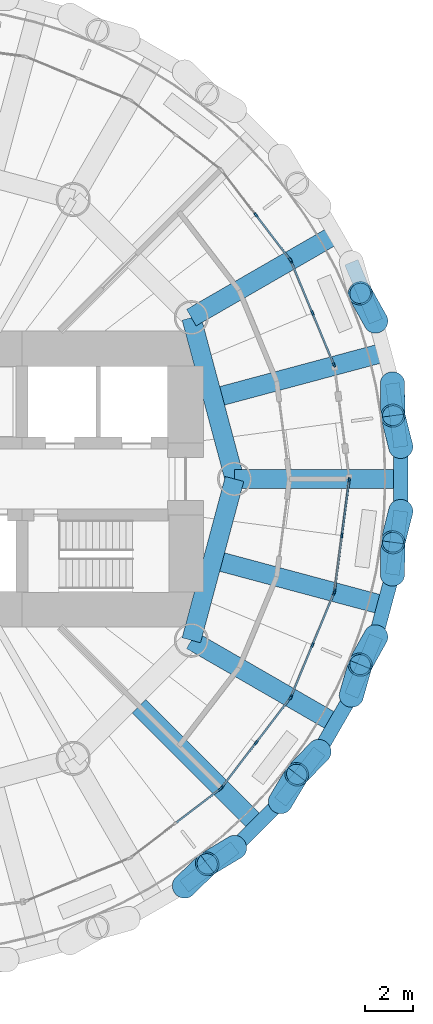
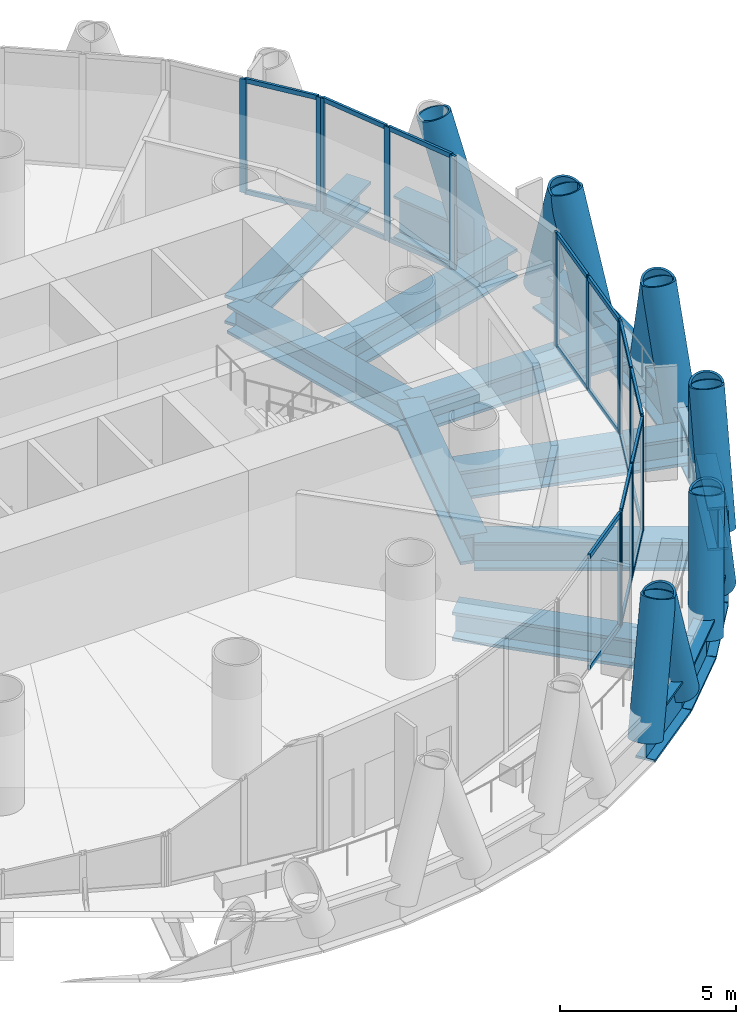
# One storey, part 4 of 13: 46 members, 18 beams, 6 elements without a shape of their own.
"""IFC4 building model written with IfcOpenShell, lengths in metres."""

from ifc_helpers import new_model, si_unit, direction, frame, origin, origin_2d, place, context, subcontext, project, spatial, rectangle, hollow_circle, i_section, extrude, material, material_profile, profile_set, type_object, element, aggregate, save


model = new_model("IFC4")

# Units and contexts
model_context = context("Model", 3, precision=1e-05, world=origin(), true_north=direction((0.0, 1.0)))
body_context = subcontext(model_context, "Body", "Model", "MODEL_VIEW")
ifc_project = project(units=[si_unit("LENGTHUNIT", "METRE"), si_unit("AREAUNIT", "SQUARE_METRE"), si_unit("VOLUMEUNIT", "CUBIC_METRE"), si_unit("PLANEANGLEUNIT", "RADIAN"), si_unit("MASSUNIT", "GRAM", prefix="KILO")], contexts=[model_context])

# Site, building, storey
site_placement = place(None, origin())
site = spatial("IfcSite", under=ifc_project, at=site_placement, CompositionType="ELEMENT")
building_placement = place(site_placement, origin())
building = spatial("IfcBuilding", under=site, at=building_placement, Name="Qaws Media Tower", CompositionType="ELEMENT")
storey_placement = place(building_placement, frame((0.0, 0.0, 282.199951171875)))
storey = spatial("IfcBuildingStorey", under=building, at=storey_placement, Name="L65", CompositionType="ELEMENT", Elevation=282.199951171875)

# Curtain wall, members
ifc_material_1 = material(Name="Aluminium and clear glass", Category="aluminium")
curtain_wall_type = type_object("IfcCurtainWallType", Name="Unitised curtain wall CW-D", PredefinedType="NOTDEFINED", material=ifc_material_1)
curtain_wall_1_placement = place(storey_placement, origin())
curtain_wall_1 = element("IfcCurtainWall", 1, at=curtain_wall_1_placement, inside=storey, type_object=curtain_wall_type, Name="CWD curtain wall L65-02", PredefinedType="NOTDEFINED")
ifc_material_2 = material(Name="Aluminium mullion", Category="aluminium")
ifc_material_profile_1 = material_profile(ifc_material_2, rectangle(XDim=0.080078125, YDim=0.199951171875, at=origin_2d()), Name="80x200")
ifc_profile_set_1 = profile_set([ifc_material_profile_1], Name="Aluminium mullion")
member_type_1 = type_object("IfcMemberType", Name="Curtain wall mullion 80x200", PredefinedType="MULLION", material=ifc_profile_set_1)
member_1_placement = place(storey_placement, frame((77.6611328125, 54.7734375, 0.0), z_axis=(0.0, 0.0, 1.0), x_axis=(-0.923879498114, -0.382683515407, 0.0)))
member_1 = element("IfcMember", 2, at=member_1_placement, type_object=member_type_1, Name="CWD mullion 1", PredefinedType="MULLION", context=body_context, shape_type="SweptSolid", body=[
    extrude(rectangle(XDim=0.080078125, YDim=0.199951171875, at=origin_2d()), origin(), (0.0, 0.0, 1.0), 3.949951171875),
])
member_2_placement = place(storey_placement, frame((76.762451171875, 56.943115234375, 0.0), z_axis=(0.0, 0.0, 1.0), x_axis=(-0.923879498114, -0.382683515407, 0.0)))
member_2 = element("IfcMember", 3, at=member_2_placement, type_object=member_type_1, Name="CWD mullion 2", PredefinedType="MULLION", context=body_context, shape_type="SweptSolid", body=[
    extrude(rectangle(XDim=0.080078125, YDim=0.199951171875, at=origin_2d()), origin(), (0.0, 0.0, 1.0), 3.949951171875),
])
member_3_placement = place(storey_placement, frame((75.863525390625, 59.113037109375, 0.0), z_axis=(0.0, 0.0, 1.0), x_axis=(-0.923879498114, -0.382683515407, 0.0)))
member_3 = element("IfcMember", 4, at=member_3_placement, type_object=member_type_1, Name="CWD mullion 3", PredefinedType="MULLION", context=body_context, shape_type="SweptSolid", body=[
    extrude(rectangle(XDim=0.080078125, YDim=0.199951171875, at=origin_2d()), origin(), (0.0, 0.0, 1.0), 3.949951171875),
])

curtain_wall_2_placement = place(storey_placement, origin())
curtain_wall_2 = element("IfcCurtainWall", 5, at=curtain_wall_2_placement, inside=storey, type_object=curtain_wall_type, Name="CWD curtain wall L65-03", PredefinedType="NOTDEFINED")
member_4_placement = place(storey_placement, frame((75.823974609375, 59.181640625, 0.0), z_axis=(0.0, 0.0, 1.0), x_axis=(-0.793353311997, -0.608761465882, 0.0)))
member_4 = element("IfcMember", 6, at=member_4_placement, type_object=member_type_1, Name="CWD mullion 1", PredefinedType="MULLION", context=body_context, shape_type="SweptSolid", body=[
    extrude(rectangle(XDim=0.080078125, YDim=0.199951171875, at=origin_2d()), origin(), (0.0, 0.0, 1.0), 3.949951171875),
])
member_5_placement = place(storey_placement, frame((74.39404296875, 61.044921875, 0.0), z_axis=(0.0, 0.0, 1.0), x_axis=(-0.793353311997, -0.608761465882, 0.0)))
member_5 = element("IfcMember", 7, at=member_5_placement, type_object=member_type_1, Name="CWD mullion 2", PredefinedType="MULLION", context=body_context, shape_type="SweptSolid", body=[
    extrude(rectangle(XDim=0.080078125, YDim=0.199951171875, at=origin_2d()), origin(), (0.0, 0.0, 1.0), 3.949951171875),
])

# Curtain wall, member
curtain_wall_3_placement = place(storey_placement, origin())
curtain_wall_3 = element("IfcCurtainWall", 8, at=curtain_wall_3_placement, inside=storey, type_object=curtain_wall_type, Name="CWD curtain wall L65-21", PredefinedType="NOTDEFINED")
member_6_placement = place(storey_placement, frame((72.908203125, 37.03564453125, 0.0), z_axis=(0.0, 0.0, 1.0), x_axis=(-0.608761465882, 0.793353311997, 0.0)))
member_6 = element("IfcMember", 9, at=member_6_placement, type_object=member_type_1, Name="CWD mullion 3", PredefinedType="MULLION", context=body_context, shape_type="SweptSolid", body=[
    extrude(rectangle(XDim=0.080078125, YDim=0.199951171875, at=origin_2d()), origin(), (0.0, 0.0, 1.0), 3.949951171875),
])

# Curtain wall, members
curtain_wall_4_placement = place(storey_placement, origin())
curtain_wall_4 = element("IfcCurtainWall", 10, at=curtain_wall_4_placement, inside=storey, type_object=curtain_wall_type, Name="CWD curtain wall L65-22", PredefinedType="NOTDEFINED")
member_7_placement = place(storey_placement, frame((72.96435546875, 37.091796875, 0.0), z_axis=(0.0, 0.0, 1.0), x_axis=(-0.793353311997, 0.608761465882, 0.0)))
member_7 = element("IfcMember", 11, at=member_7_placement, type_object=member_type_1, Name="CWD mullion 1", PredefinedType="MULLION", context=body_context, shape_type="SweptSolid", body=[
    extrude(rectangle(XDim=0.080078125, YDim=0.199951171875, at=origin_2d()), origin(), (0.0, 0.0, 1.0), 3.949951171875),
])
member_8_placement = place(storey_placement, frame((74.39404296875, 38.955078125, 0.0), z_axis=(0.0, 0.0, 1.0), x_axis=(-0.793353311997, 0.608761465882, 0.0)))
member_8 = element("IfcMember", 12, at=member_8_placement, type_object=member_type_1, Name="CWD mullion 2", PredefinedType="MULLION", context=body_context, shape_type="SweptSolid", body=[
    extrude(rectangle(XDim=0.080078125, YDim=0.199951171875, at=origin_2d()), origin(), (0.0, 0.0, 1.0), 3.949951171875),
])
member_9_placement = place(storey_placement, frame((75.823974609375, 40.818359375, 0.0), z_axis=(0.0, 0.0, 1.0), x_axis=(-0.793353311997, 0.608761465882, 0.0)))
member_9 = element("IfcMember", 13, at=member_9_placement, type_object=member_type_1, Name="CWD mullion 3", PredefinedType="MULLION", context=body_context, shape_type="SweptSolid", body=[
    extrude(rectangle(XDim=0.080078125, YDim=0.199951171875, at=origin_2d()), origin(), (0.0, 0.0, 1.0), 3.949951171875),
])

curtain_wall_5_placement = place(storey_placement, origin())
curtain_wall_5 = element("IfcCurtainWall", 14, at=curtain_wall_5_placement, inside=storey, type_object=curtain_wall_type, Name="CWD curtain wall L65-23", PredefinedType="NOTDEFINED")
member_10_placement = place(storey_placement, frame((75.863525390625, 40.886962890625, 0.0), z_axis=(0.0, 0.0, 1.0), x_axis=(-0.923879498114, 0.382683515407, 0.0)))
member_10 = element("IfcMember", 15, at=member_10_placement, type_object=member_type_1, Name="CWD mullion 1", PredefinedType="MULLION", context=body_context, shape_type="SweptSolid", body=[
    extrude(rectangle(XDim=0.080078125, YDim=0.199951171875, at=origin_2d()), origin(), (0.0, 0.0, 1.0), 3.949951171875),
])
member_11_placement = place(storey_placement, frame((76.762451171875, 43.056884765625, 0.0), z_axis=(0.0, 0.0, 1.0), x_axis=(-0.923879498114, 0.382683515407, 0.0)))
member_11 = element("IfcMember", 16, at=member_11_placement, type_object=member_type_1, Name="CWD mullion 2", PredefinedType="MULLION", context=body_context, shape_type="SweptSolid", body=[
    extrude(rectangle(XDim=0.080078125, YDim=0.199951171875, at=origin_2d()), origin(), (0.0, 0.0, 1.0), 3.949951171875),
])
member_12_placement = place(storey_placement, frame((77.6611328125, 45.2265625, 0.0), z_axis=(0.0, 0.0, 1.0), x_axis=(-0.923879498114, 0.382683515407, 0.0)))
member_12 = element("IfcMember", 17, at=member_12_placement, type_object=member_type_1, Name="CWD mullion 3", PredefinedType="MULLION", context=body_context, shape_type="SweptSolid", body=[
    extrude(rectangle(XDim=0.080078125, YDim=0.199951171875, at=origin_2d()), origin(), (0.0, 0.0, 1.0), 3.949951171875),
])

curtain_wall_6_placement = place(storey_placement, origin())
curtain_wall_6 = element("IfcCurtainWall", 18, at=curtain_wall_6_placement, inside=storey, type_object=curtain_wall_type, Name="CWD curtain wall L65-24", PredefinedType="NOTDEFINED")
member_13_placement = place(storey_placement, frame((77.681640625, 45.30322265625, 0.0), z_axis=(0.0, 0.0, 1.0), x_axis=(-0.991444873332, 0.130526101391, 0.0)))
member_13 = element("IfcMember", 19, at=member_13_placement, type_object=member_type_1, Name="CWD mullion 1", PredefinedType="MULLION", context=body_context, shape_type="SweptSolid", body=[
    extrude(rectangle(XDim=0.080078125, YDim=0.199951171875, at=origin_2d()), origin(), (0.0, 0.0, 1.0), 3.949951171875),
])
member_14_placement = place(storey_placement, frame((77.98828125, 47.6318359375, 0.0), z_axis=(0.0, 0.0, 1.0), x_axis=(-0.991444873332, 0.130526101391, 0.0)))
member_14 = element("IfcMember", 20, at=member_14_placement, type_object=member_type_1, Name="CWD mullion 2", PredefinedType="MULLION", context=body_context, shape_type="SweptSolid", body=[
    extrude(rectangle(XDim=0.080078125, YDim=0.199951171875, at=origin_2d()), origin(), (0.0, 0.0, 1.0), 3.949951171875),
])
member_15_placement = place(storey_placement, frame((78.294677734375, 49.96044921875, 0.0), z_axis=(0.0, 0.0, 1.0), x_axis=(-0.991444873332, 0.130526101391, 0.0)))
member_15 = element("IfcMember", 21, at=member_15_placement, type_object=member_type_1, Name="CWD mullion 3", PredefinedType="MULLION", context=body_context, shape_type="SweptSolid", body=[
    extrude(rectangle(XDim=0.080078125, YDim=0.199951171875, at=origin_2d()), origin(), (0.0, 0.0, 1.0), 3.949951171875),
])

# Member
ifc_material_3 = material(Name="Aluminium transom", Category="aluminium")
ifc_material_profile_2 = material_profile(ifc_material_3, rectangle(XDim=0.080078125, YDim=0.159912109375, at=origin_2d()), Name="80x160")
ifc_profile_set_2 = profile_set([ifc_material_profile_2], Name="Aluminium transom")
member_type_2 = type_object("IfcMemberType", Name="Curtain wall transom 80x160", PredefinedType="USERDEFINED", material=ifc_profile_set_2)
member_16_placement = place(storey_placement, frame((77.645751953125, 54.810302734375, 0.0400390625), z_axis=(-0.382681279912, 0.923880424084, 0.0), x_axis=(-0.923880424084, -0.382681279912, 0.0)))
member_16 = element("IfcMember", 22, at=member_16_placement, type_object=member_type_2, Name="CWD transom 1.1", ObjectType="TRANSOM", PredefinedType="USERDEFINED", context=body_context, shape_type="SweptSolid", body=[
    extrude(rectangle(XDim=0.080078125, YDim=0.159912109375, at=origin_2d()), origin(), (0.0, 0.0, 1.0), 2.2685546875),
])

member_17_placement = place(storey_placement, frame((77.645751953125, 54.810302734375, 3.91015625), z_axis=(-0.382681279912, 0.923880424084, 0.0), x_axis=(-0.923880424084, -0.382681279912, 0.0)))
member_17 = element("IfcMember", 23, at=member_17_placement, type_object=member_type_2, Name="CWD transom 1.2", ObjectType="TRANSOM", PredefinedType="USERDEFINED", context=body_context, shape_type="SweptSolid", body=[
    extrude(rectangle(XDim=0.080078125, YDim=0.159912109375, at=origin_2d()), origin(), (0.0, 0.0, 1.0), 2.2685546875),
])

member_18_placement = place(storey_placement, frame((76.7470703125, 56.980224609375, 0.0400390625), z_axis=(-0.382681279912, 0.923880424084, 0.0), x_axis=(-0.923880424084, -0.382681279912, 0.0)))
member_18 = element("IfcMember", 24, at=member_18_placement, type_object=member_type_2, Name="CWD transom 2.1", ObjectType="TRANSOM", PredefinedType="USERDEFINED", context=body_context, shape_type="SweptSolid", body=[
    extrude(rectangle(XDim=0.080078125, YDim=0.159912109375, at=origin_2d()), origin(), (0.0, 0.0, 1.0), 2.2685546875),
])

member_19_placement = place(storey_placement, frame((76.7470703125, 56.980224609375, 3.91015625), z_axis=(-0.382681279912, 0.923880424084, 0.0), x_axis=(-0.923880424084, -0.382681279912, 0.0)))
member_19 = element("IfcMember", 25, at=member_19_placement, type_object=member_type_2, Name="CWD transom 2.2", ObjectType="TRANSOM", PredefinedType="USERDEFINED", context=body_context, shape_type="SweptSolid", body=[
    extrude(rectangle(XDim=0.080078125, YDim=0.159912109375, at=origin_2d()), origin(), (0.0, 0.0, 1.0), 2.2685546875),
])

aggregate(curtain_wall_1, [member_1, member_2, member_3, member_16, member_17, member_18, member_19])

member_20_placement = place(storey_placement, frame((75.799560546875, 59.21337890625, 0.0400390625), z_axis=(-0.608779408493, 0.793339543824, 0.0), x_axis=(-0.793339543824, -0.608779408493, 0.0)))
member_20 = element("IfcMember", 26, at=member_20_placement, type_object=member_type_2, Name="CWD transom 1.1", ObjectType="TRANSOM", PredefinedType="USERDEFINED", context=body_context, shape_type="SweptSolid", body=[
    extrude(rectangle(XDim=0.080078125, YDim=0.159912109375, at=origin_2d()), origin(), (0.0, 0.0, 1.0), 2.2685546875),
])

member_21_placement = place(storey_placement, frame((75.799560546875, 59.21337890625, 3.91015625), z_axis=(-0.608779408493, 0.793339543824, 0.0), x_axis=(-0.793339543824, -0.608779408493, 0.0)))
member_21 = element("IfcMember", 27, at=member_21_placement, type_object=member_type_2, Name="CWD transom 1.2", ObjectType="TRANSOM", PredefinedType="USERDEFINED", context=body_context, shape_type="SweptSolid", body=[
    extrude(rectangle(XDim=0.080078125, YDim=0.159912109375, at=origin_2d()), origin(), (0.0, 0.0, 1.0), 2.2685546875),
])

aggregate(curtain_wall_2, [member_4, member_5, member_20, member_21])

member_22_placement = place(storey_placement, frame((71.07666015625, 35.630126953125, 0.0400390625), z_axis=(0.793339543824, 0.608779408493, 0.0), x_axis=(-0.608779408493, 0.793339543824, 0.0)))
member_22 = element("IfcMember", 28, at=member_22_placement, type_object=member_type_2, Name="CWD transom 2.1", ObjectType="TRANSOM", PredefinedType="USERDEFINED", context=body_context, shape_type="SweptSolid", body=[
    extrude(rectangle(XDim=0.080078125, YDim=0.159912109375, at=origin_2d()), origin(), (0.0, 0.0, 1.0), 2.2685546875),
])

member_23_placement = place(storey_placement, frame((71.07666015625, 35.630126953125, 3.91015625), z_axis=(0.793339543824, 0.608779408493, 0.0), x_axis=(-0.608779408493, 0.793339543824, 0.0)))
member_23 = element("IfcMember", 29, at=member_23_placement, type_object=member_type_2, Name="CWD transom 2.2", ObjectType="TRANSOM", PredefinedType="USERDEFINED", context=body_context, shape_type="SweptSolid", body=[
    extrude(rectangle(XDim=0.080078125, YDim=0.159912109375, at=origin_2d()), origin(), (0.0, 0.0, 1.0), 2.2685546875),
])

aggregate(curtain_wall_3, [member_6, member_22, member_23])

member_24_placement = place(storey_placement, frame((72.98876953125, 37.12353515625, 0.0400390625), z_axis=(0.608779408493, 0.793339543824, 0.0), x_axis=(-0.793339543824, 0.608779408493, 0.0)))
member_24 = element("IfcMember", 30, at=member_24_placement, type_object=member_type_2, Name="CWD transom 1.1", ObjectType="TRANSOM", PredefinedType="USERDEFINED", context=body_context, shape_type="SweptSolid", body=[
    extrude(rectangle(XDim=0.080078125, YDim=0.159912109375, at=origin_2d()), origin(), (0.0, 0.0, 1.0), 2.2685546875),
])

member_25_placement = place(storey_placement, frame((72.98876953125, 37.12353515625, 3.91015625), z_axis=(0.608779408493, 0.793339543824, 0.0), x_axis=(-0.793339543824, 0.608779408493, 0.0)))
member_25 = element("IfcMember", 31, at=member_25_placement, type_object=member_type_2, Name="CWD transom 1.2", ObjectType="TRANSOM", PredefinedType="USERDEFINED", context=body_context, shape_type="SweptSolid", body=[
    extrude(rectangle(XDim=0.080078125, YDim=0.159912109375, at=origin_2d()), origin(), (0.0, 0.0, 1.0), 2.2685546875),
])

member_26_placement = place(storey_placement, frame((74.41845703125, 38.98681640625, 0.0400390625), z_axis=(0.608779408493, 0.793339543824, 0.0), x_axis=(-0.793339543824, 0.608779408493, 0.0)))
member_26 = element("IfcMember", 32, at=member_26_placement, type_object=member_type_2, Name="CWD transom 2.1", ObjectType="TRANSOM", PredefinedType="USERDEFINED", context=body_context, shape_type="SweptSolid", body=[
    extrude(rectangle(XDim=0.080078125, YDim=0.159912109375, at=origin_2d()), origin(), (0.0, 0.0, 1.0), 2.2685546875),
])

member_27_placement = place(storey_placement, frame((74.41845703125, 38.98681640625, 3.91015625), z_axis=(0.608779408493, 0.793339543824, 0.0), x_axis=(-0.793339543824, 0.608779408493, 0.0)))
member_27 = element("IfcMember", 33, at=member_27_placement, type_object=member_type_2, Name="CWD transom 2.2", ObjectType="TRANSOM", PredefinedType="USERDEFINED", context=body_context, shape_type="SweptSolid", body=[
    extrude(rectangle(XDim=0.080078125, YDim=0.159912109375, at=origin_2d()), origin(), (0.0, 0.0, 1.0), 2.2685546875),
])

aggregate(curtain_wall_4, [member_7, member_8, member_9, member_24, member_25, member_26, member_27])

member_28_placement = place(storey_placement, frame((75.87890625, 40.923828125, 0.0400390625), z_axis=(0.382681279912, 0.923880424084, 0.0), x_axis=(-0.923880424084, 0.382681279912, 0.0)))
member_28 = element("IfcMember", 34, at=member_28_placement, type_object=member_type_2, Name="CWD transom 1.1", ObjectType="TRANSOM", PredefinedType="USERDEFINED", context=body_context, shape_type="SweptSolid", body=[
    extrude(rectangle(XDim=0.080078125, YDim=0.159912109375, at=origin_2d()), origin(), (0.0, 0.0, 1.0), 2.2685546875),
])

member_29_placement = place(storey_placement, frame((75.87890625, 40.923828125, 3.91015625), z_axis=(0.382681279912, 0.923880424084, 0.0), x_axis=(-0.923880424084, 0.382681279912, 0.0)))
member_29 = element("IfcMember", 35, at=member_29_placement, type_object=member_type_2, Name="CWD transom 1.2", ObjectType="TRANSOM", PredefinedType="USERDEFINED", context=body_context, shape_type="SweptSolid", body=[
    extrude(rectangle(XDim=0.080078125, YDim=0.159912109375, at=origin_2d()), origin(), (0.0, 0.0, 1.0), 2.2685546875),
])

member_30_placement = place(storey_placement, frame((76.777587890625, 43.09375, 0.0400390625), z_axis=(0.382681279912, 0.923880424084, 0.0), x_axis=(-0.923880424084, 0.382681279912, 0.0)))
member_30 = element("IfcMember", 36, at=member_30_placement, type_object=member_type_2, Name="CWD transom 2.1", ObjectType="TRANSOM", PredefinedType="USERDEFINED", context=body_context, shape_type="SweptSolid", body=[
    extrude(rectangle(XDim=0.080078125, YDim=0.159912109375, at=origin_2d()), origin(), (0.0, 0.0, 1.0), 2.2685546875),
])

member_31_placement = place(storey_placement, frame((76.777587890625, 43.09375, 3.91015625), z_axis=(0.382681279912, 0.923880424084, 0.0), x_axis=(-0.923880424084, 0.382681279912, 0.0)))
member_31 = element("IfcMember", 37, at=member_31_placement, type_object=member_type_2, Name="CWD transom 2.2", ObjectType="TRANSOM", PredefinedType="USERDEFINED", context=body_context, shape_type="SweptSolid", body=[
    extrude(rectangle(XDim=0.080078125, YDim=0.159912109375, at=origin_2d()), origin(), (0.0, 0.0, 1.0), 2.2685546875),
])

aggregate(curtain_wall_5, [member_10, member_11, member_12, member_28, member_29, member_30, member_31])

member_32_placement = place(storey_placement, frame((77.686767578125, 45.343017578125, 0.0400390625), z_axis=(0.130549169259, 0.991441836118, 0.0), x_axis=(-0.991441836118, 0.130549169259, 0.0)))
member_32 = element("IfcMember", 38, at=member_32_placement, type_object=member_type_2, Name="CWD transom 1.1", ObjectType="TRANSOM", PredefinedType="USERDEFINED", context=body_context, shape_type="SweptSolid", body=[
    extrude(rectangle(XDim=0.080078125, YDim=0.159912109375, at=origin_2d()), origin(), (0.0, 0.0, 1.0), 2.2685546875),
])

member_33_placement = place(storey_placement, frame((77.686767578125, 45.343017578125, 3.91015625), z_axis=(0.130549169259, 0.991441836118, 0.0), x_axis=(-0.991441836118, 0.130549169259, 0.0)))
member_33 = element("IfcMember", 39, at=member_33_placement, type_object=member_type_2, Name="CWD transom 1.2", ObjectType="TRANSOM", PredefinedType="USERDEFINED", context=body_context, shape_type="SweptSolid", body=[
    extrude(rectangle(XDim=0.080078125, YDim=0.159912109375, at=origin_2d()), origin(), (0.0, 0.0, 1.0), 2.2685546875),
])

member_34_placement = place(storey_placement, frame((77.993408203125, 47.67138671875, 0.0400390625), z_axis=(0.130535240618, 0.991443670088, 0.0), x_axis=(-0.991443670088, 0.130535240618, 0.0)))
member_34 = element("IfcMember", 40, at=member_34_placement, type_object=member_type_2, Name="CWD transom 2.1", ObjectType="TRANSOM", PredefinedType="USERDEFINED", context=body_context, shape_type="SweptSolid", body=[
    extrude(rectangle(XDim=0.080078125, YDim=0.159912109375, at=origin_2d()), origin(), (0.0, 0.0, 1.0), 2.268798828125),
])

member_35_placement = place(storey_placement, frame((77.993408203125, 47.67138671875, 3.91015625), z_axis=(0.130535240618, 0.991443670088, 0.0), x_axis=(-0.991443670088, 0.130535240618, 0.0)))
member_35 = element("IfcMember", 41, at=member_35_placement, type_object=member_type_2, Name="CWD transom 2.2", ObjectType="TRANSOM", PredefinedType="USERDEFINED", context=body_context, shape_type="SweptSolid", body=[
    extrude(rectangle(XDim=0.080078125, YDim=0.159912109375, at=origin_2d()), origin(), (0.0, 0.0, 1.0), 2.268798828125),
])

aggregate(curtain_wall_6, [member_13, member_14, member_15, member_32, member_33, member_34, member_35])

# Members
ifc_material_4 = material(Name="Steel S460", Category="steel")
ifc_material_profile_3 = material_profile(ifc_material_4, hollow_circle(Radius=0.508056640625, WallThickness=0.070068359375, at=origin_2d()), Name="CHS 1016x70")
ifc_profile_set_3 = profile_set([ifc_material_profile_3], Name="Steel S460")
member_type_3 = type_object("IfcMemberType", Name="Diagrid member CHS 1016x70", PredefinedType="USERDEFINED", material=ifc_profile_set_3)
for number, where, z_axis, x_axis, name in (
    (42, (80.4560546875, 51.3408203125, -0.909912109375), (-0.076247523599, 0.30256326722, 0.950074620477), (-0.969683260864, -0.244365246302, 0.0), "DG3 diagrid L65 A01"),
    (43, (80.4560546875, 48.6591796875, -0.909912109375), (-0.076247523599, -0.30256326722, 0.950074620477), (0.969683260864, -0.244365246302, 0.0), "DG3 diagrid L65 B01"),
    (44, (79.412109375, 56.589599609375, -0.909912109375), (-0.151985662051, 0.272535745282, 0.950065590407), (-0.873371271872, -0.487055049731, 0.0), "DG3 diagrid L65 A02"),
    (45, (80.106201171875, 53.999267578125, -0.909912109375), (0.00462790309, -0.311988393673, 0.95007464166), (0.999890000686, 0.014831942847, 0.0), "DG3 diagrid L65 B02"),
    (46, (71.38916015625, 32.954833984375, -0.909912109375), (0.223941893707, 0.217338768313, 0.950059939178), (-0.696447987563, 0.717607274643, 0.0), "DG3 diagrid L65 A21"),
    (47, (75.41259765625, 36.4833984375, -0.909912109375), (0.160057236154, 0.267853188571, 0.950071760725), (-0.858417175554, 0.512952193399, 0.0), "DG3 diagrid L65 A22"),
    (48, (73.5166015625, 34.58740234375, -0.909912109375), (-0.267853188571, -0.160057236154, 0.950071760725), (0.512952193399, -0.858417175554, 0.0), "DG3 diagrid L65 B22"),
):
    element("IfcMember", number, at=place(storey_placement, frame(where, z_axis=z_axis, x_axis=x_axis)), inside=storey, type_object=member_type_3, Name=name, ObjectType="DIAGRID", PredefinedType="USERDEFINED", context=body_context, shape_type="SweptSolid", body=[
        extrude(hollow_circle(Radius=0.508056640625, WallThickness=0.070068359375, at=origin_2d()), origin(), (0.0, 0.0, 1.0), 4.325927734375),
    ])
member_36_placement = place(storey_placement, frame((78.385986328125, 40.93310546875, -0.909912109375), z_axis=(0.085221723716, 0.300138494517, 0.950081123861), x_axis=(-0.961973173283, 0.273143943523, 0.0)))
element("IfcMember", 49, at=member_36_placement, inside=storey, type_object=member_type_3, Name="DG3 diagrid L65 A23", ObjectType="DIAGRID", PredefinedType="USERDEFINED", context=body_context, shape_type="SweptSolid", body=[
    extrude(hollow_circle(Radius=0.508056640625, WallThickness=0.070068359375, at=origin_2d()), origin(), (0.0, 0.0, 1.0), 4.32568359375),
])
for number, where, z_axis, x_axis, name in (
    (50, (77.045166015625, 38.61083984375, -0.909912109375), (-0.217338768313, -0.223941893707, 0.950059939178), (0.717607274643, -0.696447987563, 0.0), "DG3 diagrid L65 B23"),
    (51, (80.106201171875, 46.000732421875, -0.909912109375), (0.00462790309, 0.311988393673, 0.95007464166), (-0.999890000686, 0.014831942847, 0.0), "DG3 diagrid L65 A24"),
    (52, (79.412109375, 43.410400390625, -0.909912109375), (-0.151985662051, -0.272535745282, 0.950065590407), (0.873371271872, -0.487055049731, 0.0), "DG3 diagrid L65 B24"),
):
    element("IfcMember", number, at=place(storey_placement, frame(where, z_axis=z_axis, x_axis=x_axis)), inside=storey, type_object=member_type_3, Name=name, ObjectType="DIAGRID", PredefinedType="USERDEFINED", context=body_context, shape_type="SweptSolid", body=[
        extrude(hollow_circle(Radius=0.508056640625, WallThickness=0.070068359375, at=origin_2d()), origin(), (0.0, 0.0, 1.0), 4.325927734375),
    ])

# Beams
ifc_material_5 = material(Name="Steel S460", Category="steel")
ifc_material_profile_4 = material_profile(ifc_material_5, i_section(OverallWidth=0.60009765625, OverallDepth=1.5, WebThickness=0.030029296875, FlangeThickness=0.080078125, at=origin_2d()), Name="PG 1500x600")
ifc_profile_set_4 = profile_set([ifc_material_profile_4], Name="Steel S460")
beam_type_1 = type_object("IfcBeamType", Name="Edge ring beam PG 1500x600", PredefinedType="BEAM", material=ifc_profile_set_4)
for number, where, z_axis, x_axis, name in (
    (53, (80.4560546875, 51.3408203125, -0.909912109375), (-0.130475710195, 0.991451506151, 0.0), (-0.991451506151, -0.130475710195, 0.0), "RB5 edge ring beam L65-01"),
    (54, (79.412109375, 56.589599609375, -0.909912109375), (-0.38268148812, 0.923880337842, 0.0), (-0.923880337842, -0.38268148812, 0.0), "RB5 edge ring beam L65-03"),
):
    element("IfcBeam", number, at=place(storey_placement, frame(where, z_axis=z_axis, x_axis=x_axis)), inside=storey, type_object=beam_type_1, Name=name, PredefinedType="BEAM", context=body_context, shape_type="SweptSolid", body=[
        extrude(i_section(OverallWidth=0.60009765625, OverallDepth=1.5, WebThickness=0.030029296875, FlangeThickness=0.080078125, at=origin_2d()), origin(), (0.0, 0.0, 1.0), 2.681396484375),
    ])
beam_1_placement = place(storey_placement, frame((71.38916015625, 32.954833984375, -0.909912109375), z_axis=(0.793330799857, 0.608790803149, 0.0), x_axis=(-0.608790803149, 0.793330799857, 0.0)))
element("IfcBeam", 55, at=beam_1_placement, inside=storey, type_object=beam_type_1, Name="RB5 edge ring beam L65-41", PredefinedType="BEAM", context=body_context, shape_type="SweptSolid", body=[
    extrude(i_section(OverallWidth=0.60009765625, OverallDepth=1.5, WebThickness=0.030029296875, FlangeThickness=0.080078125, at=origin_2d()), origin(), (0.0, 0.0, 1.0), 2.681640625),
])
beam_2_placement = place(storey_placement, frame((73.5166015625, 34.58740234375, -0.909912109375), z_axis=(0.707106781187, 0.707106781187, 0.0), x_axis=(-0.707106781187, 0.707106781187, 0.0)))
element("IfcBeam", 56, at=beam_2_placement, inside=storey, type_object=beam_type_1, Name="RB5 edge ring beam L65-42", PredefinedType="BEAM", context=body_context, shape_type="SweptSolid", body=[
    extrude(i_section(OverallWidth=0.60009765625, OverallDepth=1.5, WebThickness=0.030029296875, FlangeThickness=0.080078125, at=origin_2d()), origin(), (0.0, 0.0, 1.0), 2.681396484375),
])
for number, where, z_axis, x_axis, name in (
    (57, (75.41259765625, 36.4833984375, -0.909912109375), (0.608790803149, 0.793330799857, 0.0), (-0.793330799857, 0.608790803149, 0.0), "RB5 edge ring beam L65-43"),
    (58, (77.045166015625, 38.61083984375, -0.909912109375), (0.500016677412, 0.866015774862, 0.0), (-0.866015774862, 0.500016677412, 0.0), "RB5 edge ring beam L65-44"),
):
    element("IfcBeam", number, at=place(storey_placement, frame(where, z_axis=z_axis, x_axis=x_axis)), inside=storey, type_object=beam_type_1, Name=name, PredefinedType="BEAM", context=body_context, shape_type="SweptSolid", body=[
        extrude(i_section(OverallWidth=0.60009765625, OverallDepth=1.5, WebThickness=0.030029296875, FlangeThickness=0.080078125, at=origin_2d()), origin(), (0.0, 0.0, 1.0), 2.681640625),
    ])
beam_3_placement = place(storey_placement, frame((78.385986328125, 40.93310546875, -0.909912109375), z_axis=(0.38268148812, 0.923880337842, 0.0), x_axis=(-0.923880337842, 0.38268148812, 0.0)))
element("IfcBeam", 59, at=beam_3_placement, inside=storey, type_object=beam_type_1, Name="RB5 edge ring beam L65-45", PredefinedType="BEAM", context=body_context, shape_type="SweptSolid", body=[
    extrude(i_section(OverallWidth=0.60009765625, OverallDepth=1.5, WebThickness=0.030029296875, FlangeThickness=0.080078125, at=origin_2d()), origin(), (0.0, 0.0, 1.0), 2.681396484375),
])
beam_4_placement = place(storey_placement, frame((79.412109375, 43.410400390625, -0.909912109375), z_axis=(0.258824062397, 0.965924481895, 0.0), x_axis=(-0.965924481895, 0.258824062397, 0.0)))
element("IfcBeam", 60, at=beam_4_placement, inside=storey, type_object=beam_type_1, Name="RB5 edge ring beam L65-46", PredefinedType="BEAM", context=body_context, shape_type="SweptSolid", body=[
    extrude(i_section(OverallWidth=0.60009765625, OverallDepth=1.5, WebThickness=0.030029296875, FlangeThickness=0.080078125, at=origin_2d()), origin(), (0.0, 0.0, 1.0), 2.681640625),
])
beam_5_placement = place(storey_placement, frame((80.106201171875, 46.000732421875, -0.909912109375), z_axis=(0.130475710195, 0.991451506151, 0.0), x_axis=(-0.991451506151, 0.130475710195, 0.0)))
element("IfcBeam", 61, at=beam_5_placement, inside=storey, type_object=beam_type_1, Name="RB5 edge ring beam L65-47", PredefinedType="BEAM", context=body_context, shape_type="SweptSolid", body=[
    extrude(i_section(OverallWidth=0.60009765625, OverallDepth=1.5, WebThickness=0.030029296875, FlangeThickness=0.080078125, at=origin_2d()), origin(), (0.0, 0.0, 1.0), 2.681396484375),
])
beam_6_placement = place(storey_placement, frame((80.4560546875, 48.6591796875, -0.909912109375), z_axis=(0.0, 1.0, 0.0), x_axis=(-1.0, 0.0, 0.0)))
element("IfcBeam", 62, at=beam_6_placement, inside=storey, type_object=beam_type_1, Name="RB5 edge ring beam L65-48", PredefinedType="BEAM", context=body_context, shape_type="SweptSolid", body=[
    extrude(i_section(OverallWidth=0.60009765625, OverallDepth=1.5, WebThickness=0.030029296875, FlangeThickness=0.080078125, at=origin_2d()), origin(), (0.0, 0.0, 1.0), 2.681640625),
])
ifc_material_6 = material(Name="Steel S460", Category="steel")
ifc_material_profile_5 = material_profile(ifc_material_6, i_section(OverallWidth=0.800048828125, OverallDepth=1.0, WebThickness=0.0400390625, FlangeThickness=0.10009765625, at=origin_2d()), Name="PG 1000x800")
ifc_profile_set_5 = profile_set([ifc_material_profile_5], Name="Steel S460")
beam_type_2 = type_object("IfcBeamType", Name="Inner ring girder PG 1000x800", PredefinedType="BEAM", material=ifc_profile_set_5)
for number, where, z_axis, x_axis, name in (
    (63, (73.5, 50.0, -0.659912109375), (-0.258810593767, 0.965928090778, 0.0), (-0.965928090778, -0.258810593767, 0.0), "B3 inner ring beam L65 I01-I02"),
    (64, (71.69140625, 43.25, -0.659912109375), (0.258810593767, 0.965928090778, 0.0), (-0.965928090778, 0.258810593767, 0.0), "B3 inner ring beam L65 I12-I01"),
):
    element("IfcBeam", number, at=place(storey_placement, frame(where, z_axis=z_axis, x_axis=x_axis)), inside=storey, type_object=beam_type_2, Name=name, PredefinedType="BEAM", context=body_context, shape_type="SweptSolid", body=[
        extrude(i_section(OverallWidth=0.800048828125, OverallDepth=1.0, WebThickness=0.0400390625, FlangeThickness=0.10009765625, at=origin_2d()), origin(), (0.0, 0.0, 1.0), 6.988037109375),
    ])
ifc_material_7 = material(Name="Steel S460", Category="steel")
ifc_material_profile_6 = material_profile(ifc_material_7, i_section(OverallWidth=0.800048828125, OverallDepth=1.0, WebThickness=0.0400390625, FlangeThickness=0.10009765625, at=origin_2d()), Name="PG 1000x800")
ifc_profile_set_6 = profile_set([ifc_material_profile_6], Name="Steel S460")
beam_type_3 = type_object("IfcBeamType", Name="Radial girder PG 1000x800", PredefinedType="BEAM", material=ifc_profile_set_6)
beam_7_placement = place(storey_placement, frame((73.5, 50.0, -0.659912109375), z_axis=(1.0, 0.0, 0.0), x_axis=(0.0, 1.0, 0.0)))
element("IfcBeam", 65, at=beam_7_placement, inside=storey, type_object=beam_type_3, Name="B1 radial beam L65 01", PredefinedType="BEAM", context=body_context, shape_type="SweptSolid", body=[
    extrude(i_section(OverallWidth=0.800048828125, OverallDepth=1.0, WebThickness=0.0400390625, FlangeThickness=0.10009765625, at=origin_2d()), origin(), (0.0, 0.0, 1.0), 6.9560546875),
])
beam_8_placement = place(storey_placement, frame((72.98193359375, 53.478515625, -0.659912109375), z_axis=(0.965925840492, 0.258818992096, 0.0), x_axis=(-0.258818992096, 0.965925840492, 0.0)))
element("IfcBeam", 66, at=beam_8_placement, inside=storey, type_object=beam_type_3, Name="B1 radial beam L65 02", PredefinedType="BEAM", context=body_context, shape_type="SweptSolid", body=[
    extrude(i_section(OverallWidth=0.800048828125, OverallDepth=1.0, WebThickness=0.0400390625, FlangeThickness=0.10009765625, at=origin_2d()), origin(), (0.0, 0.0, 1.0), 7.01611328125),
])
beam_9_placement = place(storey_placement, frame((71.69140625, 56.75, -0.659912109375), z_axis=(0.866027195458, 0.499996896717, 0.0), x_axis=(-0.499996896717, 0.866027195458, 0.0)))
element("IfcBeam", 67, at=beam_9_placement, inside=storey, type_object=beam_type_3, Name="B1 radial beam L65 03", PredefinedType="BEAM", context=body_context, shape_type="SweptSolid", body=[
    extrude(i_section(OverallWidth=0.800048828125, OverallDepth=1.0, WebThickness=0.0400390625, FlangeThickness=0.10009765625, at=origin_2d()), origin(), (0.0, 0.0, 1.0), 6.9560546875),
])
beam_10_placement = place(storey_placement, frame((69.50341796875, 40.49658203125, -0.659912109375), z_axis=(0.707106781187, -0.707106781187, 0.0), x_axis=(0.707106781187, 0.707106781187, 0.0)))
element("IfcBeam", 68, at=beam_10_placement, inside=storey, type_object=beam_type_3, Name="B1 radial beam L65 22", PredefinedType="BEAM", context=body_context, shape_type="SweptSolid", body=[
    extrude(i_section(OverallWidth=0.800048828125, OverallDepth=1.0, WebThickness=0.0400390625, FlangeThickness=0.10009765625, at=origin_2d()), origin(), (0.0, 0.0, 1.0), 7.01611328125),
])
beam_11_placement = place(storey_placement, frame((71.69140625, 43.25, -0.659912109375), z_axis=(0.866027195458, -0.499996896717, 0.0), x_axis=(0.499996896717, 0.866027195458, 0.0)))
element("IfcBeam", 69, at=beam_11_placement, inside=storey, type_object=beam_type_3, Name="B1 radial beam L65 23", PredefinedType="BEAM", context=body_context, shape_type="SweptSolid", body=[
    extrude(i_section(OverallWidth=0.800048828125, OverallDepth=1.0, WebThickness=0.0400390625, FlangeThickness=0.10009765625, at=origin_2d()), origin(), (0.0, 0.0, 1.0), 6.9560546875),
])
beam_12_placement = place(storey_placement, frame((72.98193359375, 46.521484375, -0.659912109375), z_axis=(0.965925840492, -0.258818992096, 0.0), x_axis=(0.258818992096, 0.965925840492, 0.0)))
element("IfcBeam", 70, at=beam_12_placement, inside=storey, type_object=beam_type_3, Name="B1 radial beam L65 24", PredefinedType="BEAM", context=body_context, shape_type="SweptSolid", body=[
    extrude(i_section(OverallWidth=0.800048828125, OverallDepth=1.0, WebThickness=0.0400390625, FlangeThickness=0.10009765625, at=origin_2d()), origin(), (0.0, 0.0, 1.0), 7.01611328125),
])

save(model, "model.ifc")
